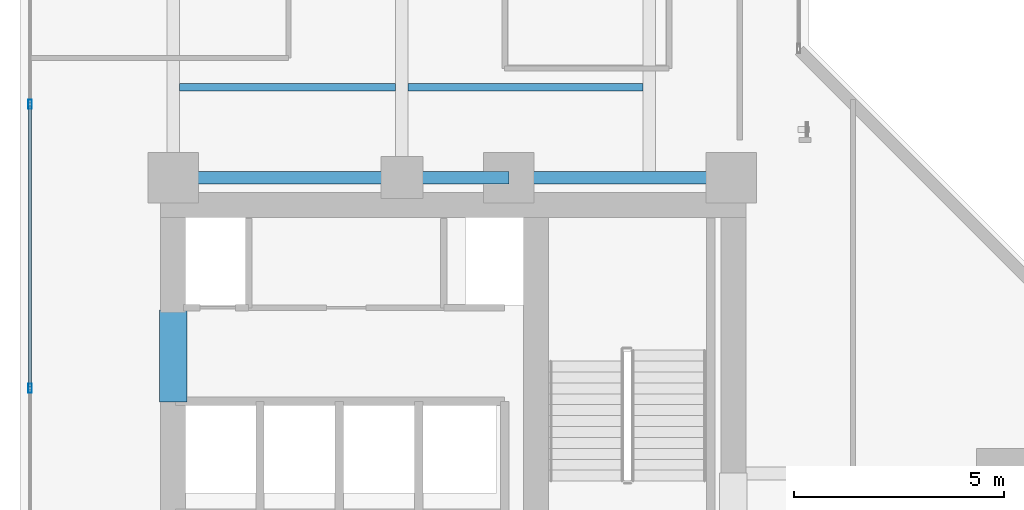
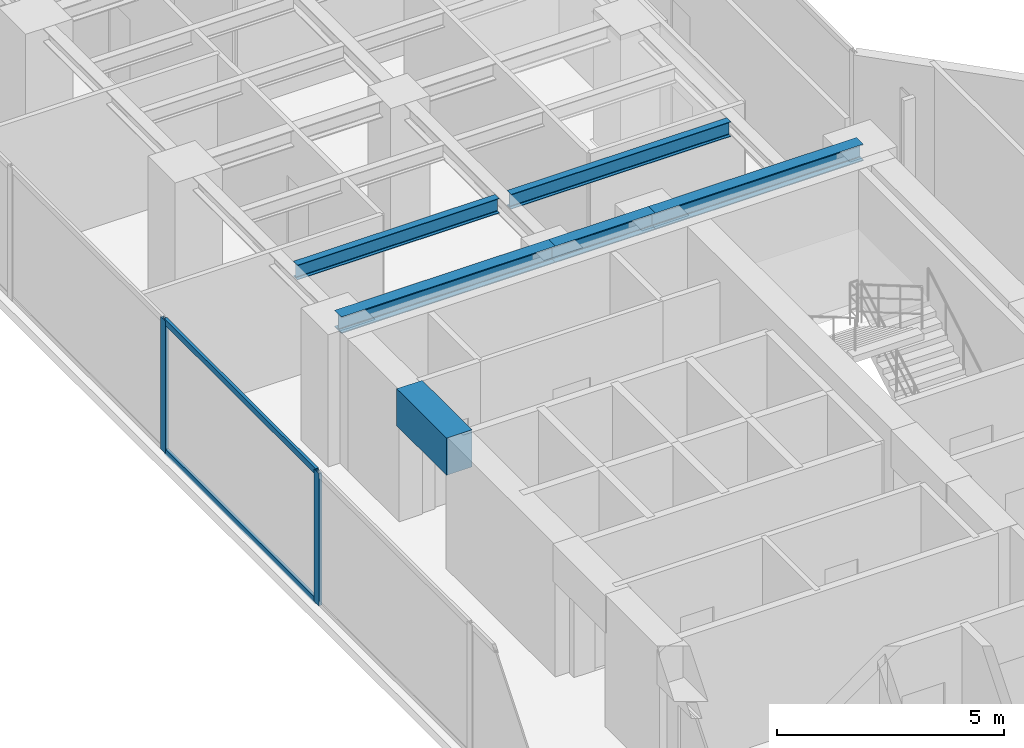
# One storey, part 6 of 23: 6 beams, 4 members, 1 element without a shape of its own.
"""IFC4 building model written with IfcOpenShell, lengths in metres."""

import ifcopenshell
import ifcopenshell.guid

model = None  # the IFC model being written
_history = None  # IfcOwnerHistory: only IFC2X3 demands one
_inside = {}  # id of a spatial element -> (the spatial element, [elements in it])
_under = {}  # id of a project, library or spatial element -> (it, [spatial elements below it])
_declared = {}  # id of a project -> (the project, [libraries it declares])
_typed = {}  # id of a type object -> (the type object, [elements of that type])
_made_of = {}  # id of a material, layer set ... -> (it, [elements and type objects made of it])


def new_model(schema):
    """Start an empty IFC model of exactly this schema.

    Asked for "IFC4X3", IfcOpenShell would pick the latest addendum, in which some entities
    have other attributes; the version numbers below select the first issue.
    IFC2X3 requires an IfcOwnerHistory on every rooted entity: one is made here for all.
    """
    global model, _history
    if schema == "IFC4X3":
        model = ifcopenshell.file(schema_version=(4, 3, 0, 0))
    else:
        model = ifcopenshell.file(schema=schema)
    _inside.clear()
    _under.clear()
    _declared.clear()
    _typed.clear()
    _made_of.clear()
    _history = None
    if model.schema == "IFC2X3":
        org = make("IfcOrganization", Name="unknown")
        user = make(
            "IfcPersonAndOrganization",
            ThePerson=make("IfcPerson", FamilyName="unknown"),
            TheOrganization=org,
        )
        app = make(
            "IfcApplication",
            ApplicationDeveloper=org,
            Version="unknown",
            ApplicationFullName="unknown",
            ApplicationIdentifier="unknown",
        )
        _history = make(
            "IfcOwnerHistory",
            OwningUser=user,
            OwningApplication=app,
            ChangeAction="ADDED",
            CreationDate=0,
        )
    return model


def make(cls, **values):
    """One entity of the class cls with the attributes given. An attribute that is None is left unset."""
    return model.create_entity(
        cls, **{name: value for name, value in values.items() if value is not None}
    )


def rooted(cls, **values):
    """An entity with a GlobalId (a new one), such as an element, a storey or a relation."""
    return make(cls, GlobalId=ifcopenshell.guid.new(), OwnerHistory=_history, **values)


def si_unit(unit_type, name, prefix=None):
    """IfcSIUnit, for example si_unit("LENGTHUNIT", "METRE", prefix="MILLI")."""
    return make("IfcSIUnit", UnitType=unit_type, Prefix=prefix, Name=name)


def assignment(units):
    """IfcUnitAssignment: the units of a project."""
    return None if units is None else make("IfcUnitAssignment", Units=units)


def point(xyz):
    """IfcCartesianPoint."""
    return None if xyz is None else make("IfcCartesianPoint", Coordinates=xyz)


def direction(xyz):
    """IfcDirection."""
    return None if xyz is None else make("IfcDirection", DirectionRatios=xyz)


def frame(location, z_axis=None, x_axis=None):
    """IfcAxis2Placement3D, a coordinate frame: its origin and axes. An axis left out is left unset."""
    return make(
        "IfcAxis2Placement3D",
        Location=point(location),
        Axis=direction(z_axis),
        RefDirection=direction(x_axis),
    )


def frame_2d(location, x_axis=None):
    """IfcAxis2Placement2D, a coordinate frame in the plane: its origin and x axis."""
    return make(
        "IfcAxis2Placement2D", Location=point(location), RefDirection=direction(x_axis)
    )


def origin():
    """The frame at (0, 0, 0) with its axes left unset."""
    return frame((0.0, 0.0, 0.0))


def origin_with_axes():
    """The frame at (0, 0, 0) with the z axis (0, 0, 1) and the x axis (1, 0, 0) written out."""
    return frame((0.0, 0.0, 0.0), z_axis=(0.0, 0.0, 1.0), x_axis=(1.0, 0.0, 0.0))


def origin_2d():
    """The frame at (0, 0) in the plane with its x axis left unset."""
    return frame_2d((0.0, 0.0))


def place(relative_to, where):
    """IfcLocalPlacement: puts the frame where relative to a parent placement (None: the world)."""
    return make(
        "IfcLocalPlacement", PlacementRelTo=relative_to, RelativePlacement=where
    )


def context(
    kind, dimensions, precision=None, world=None, true_north=None, identifier=None
):
    """IfcGeometricRepresentationContext, for example the 3D "Model" context."""
    return make(
        "IfcGeometricRepresentationContext",
        ContextIdentifier=identifier,
        ContextType=kind,
        CoordinateSpaceDimension=dimensions,
        Precision=precision,
        WorldCoordinateSystem=world,
        TrueNorth=true_north,
    )


def subcontext(parent, identifier, kind, view, scale=None):
    """IfcGeometricRepresentationSubContext, for example "Body" below "Model"."""
    return make(
        "IfcGeometricRepresentationSubContext",
        ContextIdentifier=identifier,
        ContextType=kind,
        ParentContext=parent,
        TargetScale=scale,
        TargetView=view,
    )


def project(units=None, contexts=None):
    """IfcProject with its units and contexts."""
    return rooted(
        "IfcProject",
        Name="project",
        RepresentationContexts=contexts,
        UnitsInContext=assignment(units),
    )


def spatial(cls, under=None, at=None, **own):
    """A site, building, storey or space (cls), placed at a placement, below another one or the project."""
    s = rooted(cls, ObjectPlacement=at, **own)
    if under is not None:
        _under.setdefault(under.id(), (under, []))[1].append(s)
    return s


def profile(cls, at=None, kind="AREA", **sizes):
    """A parametric profile (cls). Its sizes go by their IFC names, for example OverallWidth=200.0."""
    return make(cls, ProfileType=kind, Position=at, **sizes)


def rectangle(**sizes):
    """IfcRectangleProfileDef."""
    return profile("IfcRectangleProfileDef", **sizes)


def hollow_rectangle(**sizes):
    """IfcRectangleHollowProfileDef."""
    return profile("IfcRectangleHollowProfileDef", **sizes)


def i_section(**sizes):
    """IfcIShapeProfileDef."""
    return profile("IfcIShapeProfileDef", **sizes)


def extrude(swept, where, along, depth):
    """IfcExtrudedAreaSolid: the profile swept, set in the frame where, extruded along a direction by depth."""
    return make(
        "IfcExtrudedAreaSolid",
        SweptArea=swept,
        Position=where,
        ExtrudedDirection=direction(along),
        Depth=depth,
    )


def shape(context_of_items, identifier, shape_type, items):
    """IfcShapeRepresentation: the items that make up one representation, for example the "Body"."""
    return make(
        "IfcShapeRepresentation",
        ContextOfItems=context_of_items,
        RepresentationIdentifier=identifier,
        RepresentationType=shape_type,
        Items=items,
    )


def source(mapping_origin, context_of_items, identifier, shape_type, items):
    """IfcRepresentationMap: a shape defined once, which mapped items show again and again."""
    return make(
        "IfcRepresentationMap",
        MappingOrigin=mapping_origin,
        MappedRepresentation=shape(context_of_items, identifier, shape_type, items),
    )


def transform(
    local_origin,
    x_axis=None,
    y_axis=None,
    z_axis=None,
    scale=None,
    scale2=None,
    scale3=None,
    uniform=True,
):
    """IfcCartesianTransformationOperator3D, or its non-uniform kind. x_axis, y_axis, z_axis: its Axis1, 2, 3."""
    if uniform:
        return make(
            "IfcCartesianTransformationOperator3D",
            Axis1=direction(x_axis),
            Axis2=direction(y_axis),
            LocalOrigin=point(local_origin),
            Scale=scale,
            Axis3=direction(z_axis),
        )
    return make(
        "IfcCartesianTransformationOperator3DnonUniform",
        Axis1=direction(x_axis),
        Axis2=direction(y_axis),
        LocalOrigin=point(local_origin),
        Scale=scale,
        Axis3=direction(z_axis),
        Scale2=scale2,
        Scale3=scale3,
    )


def mapped(mapping_source, mapping_target):
    """IfcMappedItem: shows the shape of a source again, moved by a transform."""
    return make(
        "IfcMappedItem", MappingSource=mapping_source, MappingTarget=mapping_target
    )


def material(Name=None, Category=None):
    """IfcMaterial."""
    return make("IfcMaterial", Name=Name, Category=Category)


def layer(
    of_material, thickness, ventilated=None, Name=None, Category=None, Priority=None
):
    """IfcMaterialLayer: one layer of a wall or slab, of a material (None: an air gap)."""
    return make(
        "IfcMaterialLayer",
        Material=of_material,
        LayerThickness=thickness,
        IsVentilated=ventilated,
        Name=Name,
        Category=Category,
        Priority=Priority,
    )


def layer_set(layers, Name=None):
    """IfcMaterialLayerSet."""
    return make("IfcMaterialLayerSet", MaterialLayers=layers, LayerSetName=Name)


def material_profile(
    of_material, cross_section, Name=None, Category=None, Priority=None
):
    """IfcMaterialProfile: a cross section and its material."""
    return make(
        "IfcMaterialProfile",
        Name=Name,
        Material=of_material,
        Profile=cross_section,
        Priority=Priority,
        Category=Category,
    )


def profile_set(profiles, Name=None, composite=None):
    """IfcMaterialProfileSet."""
    return make(
        "IfcMaterialProfileSet",
        Name=Name,
        MaterialProfiles=profiles,
        CompositeProfile=composite,
    )


def made_of(thing, what):
    """Note that an element or type object is made of a material, layer set ...; save() writes the relation."""
    if what is not None:
        _made_of.setdefault(what.id(), (what, []))[1].append(thing)
    return thing


def type_object(cls, material=None, **own):
    """A type object (cls), such as IfcWallType, which elements share."""
    return made_of(rooted(cls, **own), material)


def element(
    cls,
    number,
    at=None,
    inside=None,
    cuts=None,
    type_object=None,
    material=None,
    context=None,
    identifier="Body",
    shape_type=None,
    held_by="IfcProductDefinitionShape",
    body=None,
    shapes=None,
    **own,
):
    """One element of the class cls, such as IfcWall. Its Tag is "e" and its number.

    at: its placement. inside: the storey or other place that contains it. cuts: it is an
    opening in that element (IfcRelVoidsElement). A single representation is given by context,
    identifier, shape_type and body (its items); several are given by shapes. held_by: the class
    of the entity that holds the representations. save() writes the other relations.
    """
    e = rooted(cls, Tag="e%d" % number, ObjectPlacement=at, **own)
    if body is not None:
        shapes = [shape(context, identifier, shape_type, body)]
    if shapes is not None:
        e.Representation = make(held_by, Representations=shapes)
    if inside is not None:
        _inside.setdefault(inside.id(), (inside, []))[1].append(e)
    if cuts is not None:
        rooted(
            "IfcRelVoidsElement", RelatingBuildingElement=cuts, RelatedOpeningElement=e
        )
    if type_object is not None:
        _typed.setdefault(type_object.id(), (type_object, []))[1].append(e)
    return made_of(e, material)


def aggregate(whole, parts):
    """IfcRelAggregates: a whole, such as a stair, and the parts it consists of."""
    return rooted("IfcRelAggregates", RelatingObject=whole, RelatedObjects=parts)


def save(model, path):
    """Write the relations noted so far, then the file.

    IfcRelAggregates (storeys below a building ...), IfcRelContainedInSpatialStructure (elements
    in a storey), IfcRelDefinesByType, IfcRelAssociatesMaterial and IfcRelDeclares: one each for
    every whole, place, type object, material and project.
    """
    for whole, parts in _under.values():
        aggregate(whole, parts)
    for where, things in _inside.values():
        rooted(
            "IfcRelContainedInSpatialStructure",
            RelatedElements=things,
            RelatingStructure=where,
        )
    for kind, things in _typed.values():
        rooted("IfcRelDefinesByType", RelatedObjects=things, RelatingType=kind)
    for what, things in _made_of.values():
        rooted("IfcRelAssociatesMaterial", RelatedObjects=things, RelatingMaterial=what)
    for by, libraries in _declared.values():
        rooted("IfcRelDeclares", RelatingContext=by, RelatedDefinitions=libraries)
    model.write(path)


model = new_model("IFC4")

# Units and contexts
model_context = context("Model", 3, precision=1e-05, world=origin(), true_north=direction((0.0, 1.0)))
body_context = subcontext(model_context, "Body", "Model", "MODEL_VIEW")
ifc_project = project(units=[si_unit("LENGTHUNIT", "METRE"), si_unit("AREAUNIT", "SQUARE_METRE"), si_unit("VOLUMEUNIT", "CUBIC_METRE"), si_unit("PLANEANGLEUNIT", "RADIAN"), si_unit("MASSUNIT", "GRAM", prefix="KILO")], contexts=[model_context])

# Site, building, storey
site_placement = place(None, origin())
site = spatial("IfcSite", under=ifc_project, at=site_placement, CompositionType="ELEMENT")
building_placement = place(site_placement, origin())
building = spatial("IfcBuilding", under=site, at=building_placement, Name="Kolvaren Waterfront Exchange", CompositionType="ELEMENT")
storey_placement = place(building_placement, frame((0.0, 0.0, 188.0)))
storey = spatial("IfcBuildingStorey", under=building, at=storey_placement, Name="L48", CompositionType="ELEMENT", Elevation=188.0)

# Beams
ifc_material_1 = material(Name="Steel S355", Category="steel")
ifc_material_profile_1 = material_profile(ifc_material_1, i_section(OverallWidth=0.300048828125, OverallDepth=0.449951171875, WebThickness=0.013916015625, FlangeThickness=0.02587890625, FilletRadius=0.027099609375, at=origin_2d()), Name="HEB450")
ifc_profile_set_1 = profile_set([ifc_material_profile_1], Name="Steel S355")
beam_type_1 = type_object("IfcBeamType", Name="STR-BM-HEB450", PredefinedType="BEAM", material=ifc_profile_set_1)
beam_1_placement = place(storey_placement, frame((7.449951171875, 24.449951171875, 3.3349609375), z_axis=(1.0, 0.0, 0.0), x_axis=(0.0, 1.0, 0.0)))
element("IfcBeam", 1, at=beam_1_placement, inside=storey, type_object=beam_type_1, Name="L48 north-arm girder 1A", PredefinedType="BEAM", context=body_context, shape_type="SweptSolid", body=[
    extrude(i_section(OverallWidth=0.300048828125, OverallDepth=0.449951171875, WebThickness=0.013916015625, FlangeThickness=0.02587890625, FilletRadius=0.027099609375, at=origin_2d()), origin(), (0.0, 0.0, 1.0), 5.449951171875),
])
beam_2_placement = place(storey_placement, frame((12.89990234375, 24.449951171875, 3.3349609375), z_axis=(1.0, 0.0, 0.0), x_axis=(0.0, 1.0, 0.0)))
element("IfcBeam", 2, at=beam_2_placement, inside=storey, type_object=beam_type_1, Name="L48 north-arm girder 1B", PredefinedType="BEAM", context=body_context, shape_type="SweptSolid", body=[
    extrude(i_section(OverallWidth=0.300048828125, OverallDepth=0.449951171875, WebThickness=0.013916015625, FlangeThickness=0.02587890625, FilletRadius=0.027099609375, at=origin_2d()), origin(), (0.0, 0.0, 1.0), 2.550048828125),
])
beam_3_placement = place(storey_placement, frame((15.449951171875, 24.449951171875, 3.3349609375), z_axis=(1.0, 0.0, 0.0), x_axis=(0.0, 1.0, 0.0)))
element("IfcBeam", 3, at=beam_3_placement, inside=storey, type_object=beam_type_1, Name="L48 north-arm girder 1C", PredefinedType="BEAM", context=body_context, shape_type="SweptSolid", body=[
    extrude(i_section(OverallWidth=0.300048828125, OverallDepth=0.449951171875, WebThickness=0.013916015625, FlangeThickness=0.02587890625, FilletRadius=0.027099609375, at=origin_2d()), origin(), (0.0, 0.0, 1.0), 5.300048828125),
])
ifc_material_profile_2 = material_profile(ifc_material_1, i_section(OverallWidth=0.179931640625, OverallDepth=0.39990234375, WebThickness=0.008544921875, FlangeThickness=0.013427734375, FilletRadius=0.02099609375, at=origin_2d()), Name="IPE400")
ifc_profile_set_2 = profile_set([ifc_material_profile_2], Name="Steel S355")
beam_type_2 = type_object("IfcBeamType", Name="STR-BM-IPE400", PredefinedType="JOIST", material=ifc_profile_set_2)
beam_4_placement = place(storey_placement, frame((7.60205078125, 26.60009765625, 3.360107421875), z_axis=(1.0, 0.0, 0.0), x_axis=(0.0, 1.0, 0.0)))
element("IfcBeam", 4, at=beam_4_placement, inside=storey, type_object=beam_type_2, Name="L48 north-arm composite joist 1A", PredefinedType="JOIST", context=body_context, shape_type="SweptSolid", body=[
    extrude(i_section(OverallWidth=0.179931640625, OverallDepth=0.39990234375, WebThickness=0.008544921875, FlangeThickness=0.013427734375, FilletRadius=0.02099609375, at=origin_2d()), origin(), (0.0, 0.0, 1.0), 5.14599609375),
])
beam_5_placement = place(storey_placement, frame((13.052001953125, 26.60009765625, 3.360107421875), z_axis=(1.0, 0.0, 0.0), x_axis=(0.0, 1.0, 0.0)))
element("IfcBeam", 5, at=beam_5_placement, inside=storey, type_object=beam_type_2, Name="L48 north-arm composite joist 1B", PredefinedType="JOIST", context=body_context, shape_type="SweptSolid", body=[
    extrude(i_section(OverallWidth=0.179931640625, OverallDepth=0.39990234375, WebThickness=0.008544921875, FlangeThickness=0.013427734375, FilletRadius=0.02099609375, at=origin_2d()), origin(), (0.0, 0.0, 1.0), 5.595947265625),
])
ifc_material_2 = material(Name="Concrete C60/75", Category="concrete")
ifc_material_profile_3 = material_profile(ifc_material_2, rectangle(XDim=0.64990234375, YDim=1.0, at=origin_2d()), Name="RC-CB-1000x650")
ifc_profile_set_3 = profile_set([ifc_material_profile_3], Name="Concrete C60/75")
beam_type_3 = type_object("IfcBeamType", Name="STR-CB-1000", PredefinedType="SPANDREL", material=ifc_profile_set_3)
beam_6_placement = place(storey_placement, frame((7.449951171875, 19.10009765625, 3.06005859375), z_axis=(0.0, 1.0, 0.0), x_axis=(-1.0, 0.0, 0.0)))
element("IfcBeam", 6, at=beam_6_placement, inside=storey, type_object=beam_type_3, Name="L48 core coupling beam 5", PredefinedType="SPANDREL", context=body_context, shape_type="SweptSolid", body=[
    extrude(rectangle(XDim=0.64990234375, YDim=1.0, at=origin_2d()), origin(), (0.0, 0.0, 1.0), 2.199951171875),
])

# Curtain wall, members
ifc_material_3 = material(Name="Anodised aluminium 6063-T6", Category="aluminium")
ifc_layer = layer(ifc_material_3, 0.219970703125, Name="Anodised aluminium 6063-T6")
ifc_layer_set = layer_set([ifc_layer], Name="Anodised aluminium 6063-T6")
curtain_wall_type = type_object("IfcCurtainWallType", Name="ARC-CW-SYS2", PredefinedType="USERDEFINED", material=ifc_layer_set)
curtain_wall_placement = place(storey_placement, origin())
curtain_wall = element("IfcCurtainWall", 7, at=curtain_wall_placement, inside=storey, type_object=curtain_wall_type, Name="L48 stick curtain wall CW2 (CW-L48-W)", ObjectType="STICK CURTAIN WALL", PredefinedType="USERDEFINED")
ifc_material_profile_4 = material_profile(ifc_material_3, hollow_rectangle(XDim=0.080078125, YDim=0.219970703125, WallThickness=0.0048828125, at=origin_2d()), Name="ALU-MUL-220x80x5")
ifc_profile_set_4 = profile_set([ifc_material_profile_4], Name="Anodised aluminium 6063-T6")
member_type_1 = type_object("IfcMemberType", Name="ARC-CWM-220", PredefinedType="MULLION", material=ifc_profile_set_4)
shared_shape_1 = source(origin_with_axes(), body_context, "Body", "SweptSolid", [
    extrude(hollow_rectangle(XDim=0.080078125, YDim=0.219970703125, WallThickness=0.0048828125, at=origin_2d()), origin(), (0.0, 0.0, 1.0), 3.56005859375),
])
member_1_placement = place(storey_placement, frame((4.0400390625, 19.433349609375, 0.0), z_axis=(0.0, 0.0, 1.0), x_axis=(-1.0, 0.0, 0.0)))
member_1 = element("IfcMember", 8, at=member_1_placement, type_object=member_type_1, Name="CW2 mullion 3", PredefinedType="MULLION", context=body_context, shape_type="MappedRepresentation", body=[
    mapped(shared_shape_1, transform((0.0, 0.0, 0.0), x_axis=(1.0, 0.0, 0.0), y_axis=(0.0, 1.0, 0.0), z_axis=(0.0, 0.0, 1.0), scale=1.0)),
])
member_2_placement = place(storey_placement, frame((4.0400390625, 26.199951171875, 0.0), z_axis=(0.0, 0.0, 1.0), x_axis=(-1.0, 0.0, 0.0)))
member_2 = element("IfcMember", 9, at=member_2_placement, type_object=member_type_1, Name="CW2 mullion 4", PredefinedType="MULLION", context=body_context, shape_type="MappedRepresentation", body=[
    mapped(shared_shape_1, transform((0.0, 0.0, 0.0), x_axis=(1.0, 0.0, 0.0), y_axis=(0.0, 1.0, 0.0), z_axis=(0.0, 0.0, 1.0), scale=1.0)),
])
ifc_material_profile_5 = material_profile(ifc_material_3, hollow_rectangle(XDim=0.074951171875, YDim=0.159912109375, WallThickness=0.00439453125, at=origin_2d()), Name="ALU-TRN-160x75x4.5")
ifc_profile_set_5 = profile_set([ifc_material_profile_5], Name="Anodised aluminium 6063-T6")
member_type_2 = type_object("IfcMemberType", Name="ARC-CWT-160", PredefinedType="USERDEFINED", material=ifc_profile_set_5)
shared_shape_2 = source(origin_with_axes(), body_context, "Body", "SweptSolid", [
    extrude(hollow_rectangle(XDim=0.074951171875, YDim=0.159912109375, WallThickness=0.00439453125, at=origin_2d()), origin(), (0.0, 0.0, 1.0), 6.6865234375),
])
member_3_placement = place(storey_placement, frame((4.0400390625, 19.473388671875, 0.03759765625), z_axis=(0.0, 1.0, 0.0), x_axis=(-1.0, 0.0, 0.0)))
member_3 = element("IfcMember", 10, at=member_3_placement, type_object=member_type_2, Name="CW2 transom 3.1", ObjectType="TRANSOM", PredefinedType="USERDEFINED", context=body_context, shape_type="MappedRepresentation", body=[
    mapped(shared_shape_2, transform((0.0, 0.0, 0.0), x_axis=(1.0, 0.0, 0.0), y_axis=(0.0, 1.0, 0.0), z_axis=(0.0, 0.0, 1.0), scale=1.0)),
])
member_4_placement = place(storey_placement, frame((4.0400390625, 19.473388671875, 3.5224609375), z_axis=(0.0, 1.0, 0.0), x_axis=(-1.0, 0.0, 0.0)))
member_4 = element("IfcMember", 11, at=member_4_placement, type_object=member_type_2, Name="CW2 transom 3.2", ObjectType="TRANSOM", PredefinedType="USERDEFINED", context=body_context, shape_type="MappedRepresentation", body=[
    mapped(shared_shape_2, transform((0.0, 0.0, 0.0), x_axis=(1.0, 0.0, 0.0), y_axis=(0.0, 1.0, 0.0), z_axis=(0.0, 0.0, 1.0), scale=1.0)),
])
aggregate(curtain_wall, [member_1, member_2, member_3, member_4])

save(model, "model.ifc")
